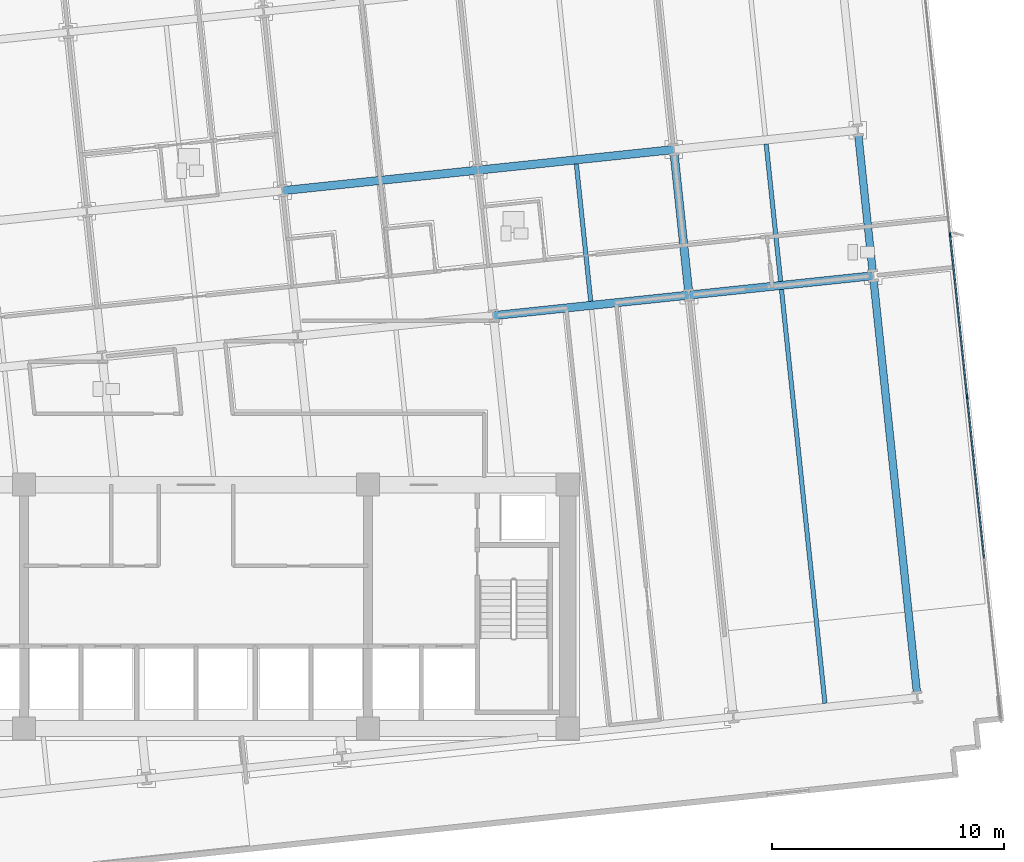
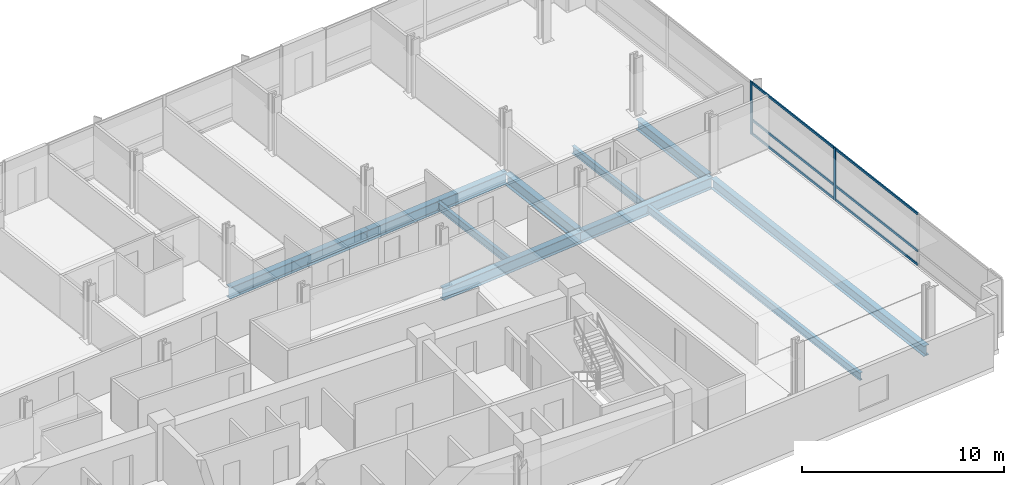
# One storey, part 5 of 17: 10 beams, 8 members, 1 element without a shape of its own.
"""IFC4 building model written with IfcOpenShell, lengths in metres."""

import ifcopenshell
import ifcopenshell.guid

model = None  # the IFC model being written
_history = None  # IfcOwnerHistory: only IFC2X3 demands one
_inside = {}  # id of a spatial element -> (the spatial element, [elements in it])
_under = {}  # id of a project, library or spatial element -> (it, [spatial elements below it])
_declared = {}  # id of a project -> (the project, [libraries it declares])
_typed = {}  # id of a type object -> (the type object, [elements of that type])
_made_of = {}  # id of a material, layer set ... -> (it, [elements and type objects made of it])


def new_model(schema):
    """Start an empty IFC model of exactly this schema.

    Asked for "IFC4X3", IfcOpenShell would pick the latest addendum, in which some entities
    have other attributes; the version numbers below select the first issue.
    IFC2X3 requires an IfcOwnerHistory on every rooted entity: one is made here for all.
    """
    global model, _history
    if schema == "IFC4X3":
        model = ifcopenshell.file(schema_version=(4, 3, 0, 0))
    else:
        model = ifcopenshell.file(schema=schema)
    _inside.clear()
    _under.clear()
    _declared.clear()
    _typed.clear()
    _made_of.clear()
    _history = None
    if model.schema == "IFC2X3":
        org = make("IfcOrganization", Name="unknown")
        user = make(
            "IfcPersonAndOrganization",
            ThePerson=make("IfcPerson", FamilyName="unknown"),
            TheOrganization=org,
        )
        app = make(
            "IfcApplication",
            ApplicationDeveloper=org,
            Version="unknown",
            ApplicationFullName="unknown",
            ApplicationIdentifier="unknown",
        )
        _history = make(
            "IfcOwnerHistory",
            OwningUser=user,
            OwningApplication=app,
            ChangeAction="ADDED",
            CreationDate=0,
        )
    return model


def make(cls, **values):
    """One entity of the class cls with the attributes given. An attribute that is None is left unset."""
    return model.create_entity(
        cls, **{name: value for name, value in values.items() if value is not None}
    )


def rooted(cls, **values):
    """An entity with a GlobalId (a new one), such as an element, a storey or a relation."""
    return make(cls, GlobalId=ifcopenshell.guid.new(), OwnerHistory=_history, **values)


def si_unit(unit_type, name, prefix=None):
    """IfcSIUnit, for example si_unit("LENGTHUNIT", "METRE", prefix="MILLI")."""
    return make("IfcSIUnit", UnitType=unit_type, Prefix=prefix, Name=name)


def assignment(units):
    """IfcUnitAssignment: the units of a project."""
    return None if units is None else make("IfcUnitAssignment", Units=units)


def point(xyz):
    """IfcCartesianPoint."""
    return None if xyz is None else make("IfcCartesianPoint", Coordinates=xyz)


def direction(xyz):
    """IfcDirection."""
    return None if xyz is None else make("IfcDirection", DirectionRatios=xyz)


def frame(location, z_axis=None, x_axis=None):
    """IfcAxis2Placement3D, a coordinate frame: its origin and axes. An axis left out is left unset."""
    return make(
        "IfcAxis2Placement3D",
        Location=point(location),
        Axis=direction(z_axis),
        RefDirection=direction(x_axis),
    )


def frame_2d(location, x_axis=None):
    """IfcAxis2Placement2D, a coordinate frame in the plane: its origin and x axis."""
    return make(
        "IfcAxis2Placement2D", Location=point(location), RefDirection=direction(x_axis)
    )


def origin():
    """The frame at (0, 0, 0) with its axes left unset."""
    return frame((0.0, 0.0, 0.0))


def origin_2d():
    """The frame at (0, 0) in the plane with its x axis left unset."""
    return frame_2d((0.0, 0.0))


def place(relative_to, where):
    """IfcLocalPlacement: puts the frame where relative to a parent placement (None: the world)."""
    return make(
        "IfcLocalPlacement", PlacementRelTo=relative_to, RelativePlacement=where
    )


def context(
    kind, dimensions, precision=None, world=None, true_north=None, identifier=None
):
    """IfcGeometricRepresentationContext, for example the 3D "Model" context."""
    return make(
        "IfcGeometricRepresentationContext",
        ContextIdentifier=identifier,
        ContextType=kind,
        CoordinateSpaceDimension=dimensions,
        Precision=precision,
        WorldCoordinateSystem=world,
        TrueNorth=true_north,
    )


def subcontext(parent, identifier, kind, view, scale=None):
    """IfcGeometricRepresentationSubContext, for example "Body" below "Model"."""
    return make(
        "IfcGeometricRepresentationSubContext",
        ContextIdentifier=identifier,
        ContextType=kind,
        ParentContext=parent,
        TargetScale=scale,
        TargetView=view,
    )


def project(units=None, contexts=None):
    """IfcProject with its units and contexts."""
    return rooted(
        "IfcProject",
        Name="project",
        RepresentationContexts=contexts,
        UnitsInContext=assignment(units),
    )


def spatial(cls, under=None, at=None, **own):
    """A site, building, storey or space (cls), placed at a placement, below another one or the project."""
    s = rooted(cls, ObjectPlacement=at, **own)
    if under is not None:
        _under.setdefault(under.id(), (under, []))[1].append(s)
    return s


def profile(cls, at=None, kind="AREA", **sizes):
    """A parametric profile (cls). Its sizes go by their IFC names, for example OverallWidth=200.0."""
    return make(cls, ProfileType=kind, Position=at, **sizes)


def rectangle(**sizes):
    """IfcRectangleProfileDef."""
    return profile("IfcRectangleProfileDef", **sizes)


def i_section(**sizes):
    """IfcIShapeProfileDef."""
    return profile("IfcIShapeProfileDef", **sizes)


def extrude(swept, where, along, depth):
    """IfcExtrudedAreaSolid: the profile swept, set in the frame where, extruded along a direction by depth."""
    return make(
        "IfcExtrudedAreaSolid",
        SweptArea=swept,
        Position=where,
        ExtrudedDirection=direction(along),
        Depth=depth,
    )


def shape(context_of_items, identifier, shape_type, items):
    """IfcShapeRepresentation: the items that make up one representation, for example the "Body"."""
    return make(
        "IfcShapeRepresentation",
        ContextOfItems=context_of_items,
        RepresentationIdentifier=identifier,
        RepresentationType=shape_type,
        Items=items,
    )


def material(Name=None, Category=None):
    """IfcMaterial."""
    return make("IfcMaterial", Name=Name, Category=Category)


def material_profile(
    of_material, cross_section, Name=None, Category=None, Priority=None
):
    """IfcMaterialProfile: a cross section and its material."""
    return make(
        "IfcMaterialProfile",
        Name=Name,
        Material=of_material,
        Profile=cross_section,
        Priority=Priority,
        Category=Category,
    )


def profile_set(profiles, Name=None, composite=None):
    """IfcMaterialProfileSet."""
    return make(
        "IfcMaterialProfileSet",
        Name=Name,
        MaterialProfiles=profiles,
        CompositeProfile=composite,
    )


def made_of(thing, what):
    """Note that an element or type object is made of a material, layer set ...; save() writes the relation."""
    if what is not None:
        _made_of.setdefault(what.id(), (what, []))[1].append(thing)
    return thing


def type_object(cls, material=None, **own):
    """A type object (cls), such as IfcWallType, which elements share."""
    return made_of(rooted(cls, **own), material)


def element(
    cls,
    number,
    at=None,
    inside=None,
    cuts=None,
    type_object=None,
    material=None,
    context=None,
    identifier="Body",
    shape_type=None,
    held_by="IfcProductDefinitionShape",
    body=None,
    shapes=None,
    **own,
):
    """One element of the class cls, such as IfcWall. Its Tag is "e" and its number.

    at: its placement. inside: the storey or other place that contains it. cuts: it is an
    opening in that element (IfcRelVoidsElement). A single representation is given by context,
    identifier, shape_type and body (its items); several are given by shapes. held_by: the class
    of the entity that holds the representations. save() writes the other relations.
    """
    e = rooted(cls, Tag="e%d" % number, ObjectPlacement=at, **own)
    if body is not None:
        shapes = [shape(context, identifier, shape_type, body)]
    if shapes is not None:
        e.Representation = make(held_by, Representations=shapes)
    if inside is not None:
        _inside.setdefault(inside.id(), (inside, []))[1].append(e)
    if cuts is not None:
        rooted(
            "IfcRelVoidsElement", RelatingBuildingElement=cuts, RelatedOpeningElement=e
        )
    if type_object is not None:
        _typed.setdefault(type_object.id(), (type_object, []))[1].append(e)
    return made_of(e, material)


def aggregate(whole, parts):
    """IfcRelAggregates: a whole, such as a stair, and the parts it consists of."""
    return rooted("IfcRelAggregates", RelatingObject=whole, RelatedObjects=parts)


def save(model, path):
    """Write the relations noted so far, then the file.

    IfcRelAggregates (storeys below a building ...), IfcRelContainedInSpatialStructure (elements
    in a storey), IfcRelDefinesByType, IfcRelAssociatesMaterial and IfcRelDeclares: one each for
    every whole, place, type object, material and project.
    """
    for whole, parts in _under.values():
        aggregate(whole, parts)
    for where, things in _inside.values():
        rooted(
            "IfcRelContainedInSpatialStructure",
            RelatedElements=things,
            RelatingStructure=where,
        )
    for kind, things in _typed.values():
        rooted("IfcRelDefinesByType", RelatedObjects=things, RelatingType=kind)
    for what, things in _made_of.values():
        rooted("IfcRelAssociatesMaterial", RelatedObjects=things, RelatingMaterial=what)
    for by, libraries in _declared.values():
        rooted("IfcRelDeclares", RelatingContext=by, RelatedDefinitions=libraries)
    model.write(path)


model = new_model("IFC4")

# Units and contexts
model_context = context("Model", 3, precision=1e-05, world=origin(), true_north=direction((0.0, 1.0)))
body_context = subcontext(model_context, "Body", "Model", "MODEL_VIEW")
ifc_project = project(units=[si_unit("LENGTHUNIT", "METRE"), si_unit("AREAUNIT", "SQUARE_METRE"), si_unit("VOLUMEUNIT", "CUBIC_METRE"), si_unit("PLANEANGLEUNIT", "RADIAN"), si_unit("MASSUNIT", "GRAM", prefix="KILO")], contexts=[model_context])

# Site, building, storey
site_placement = place(None, origin())
site = spatial("IfcSite", under=ifc_project, at=site_placement, CompositionType="ELEMENT")
building_placement = place(site_placement, origin())
building = spatial("IfcBuilding", under=site, at=building_placement, Name="Solmavex Isthmus Hotel", CompositionType="ELEMENT")
storey_placement = place(building_placement, frame((0.0, 0.0, 90.449951171875)))
storey = spatial("IfcBuildingStorey", under=building, at=storey_placement, Name="L24", CompositionType="ELEMENT", Elevation=90.449951171875)

# Beams
ifc_material_1 = material(Name="Steel ASTM A992 Grade 50", Category="steel")
ifc_material_profile_1 = material_profile(ifc_material_1, i_section(OverallWidth=0.354736328125, OverallDepth=0.695556640625, WebThickness=0.015380859375, FlangeThickness=0.02490234375, FilletRadius=0.017822265625, at=origin_2d()), Name="W27X146")
ifc_profile_set_1 = profile_set([ifc_material_profile_1], Name="Steel ASTM A992 Grade 50")
beam_type_1 = type_object("IfcBeamType", Name="BM-BG-W27X146", PredefinedType="BEAM", material=ifc_profile_set_1)
beam_1_placement = place(storey_placement, frame((12.800048828125, 4.7734375, -0.607666015625), z_axis=(0.994521085209, 0.104536171134, 0.0), x_axis=(-0.104536171134, 0.994521085209, 0.0)))
element("IfcBeam", 1, at=beam_1_placement, inside=storey, type_object=beam_type_1, Name="Floor Girder L24-UG11", PredefinedType="BEAM", context=body_context, shape_type="SweptSolid", body=[
    extrude(i_section(OverallWidth=0.354736328125, OverallDepth=0.695556640625, WebThickness=0.015380859375, FlangeThickness=0.02490234375, FilletRadius=0.017822265625, at=origin_2d()), origin(), (0.0, 0.0, 1.0), 8.466064453125),
])
beam_2_placement = place(storey_placement, frame((21.2197265625, 5.658447265625, -0.607666015625), z_axis=(0.994523402738, 0.104514120609, 0.0), x_axis=(-0.104514120609, 0.994523402738, 0.0)))
element("IfcBeam", 2, at=beam_2_placement, inside=storey, type_object=beam_type_1, Name="Floor Girder L24-UG12", PredefinedType="BEAM", context=body_context, shape_type="SweptSolid", body=[
    extrude(i_section(OverallWidth=0.354736328125, OverallDepth=0.695556640625, WebThickness=0.015380859375, FlangeThickness=0.02490234375, FilletRadius=0.017822265625, at=origin_2d()), origin(), (0.0, 0.0, 1.0), 7.968017578125),
])
for number, where, z_axis, x_axis, name in (
    (3, (3.72216796875, 10.152099609375, -0.607666015625), (0.994524082861, 0.104507648572, 0.0), (-0.104507648572, 0.994524082861, 0.0), "Floor Girder L24-UG16"),
    (4, (12.141845703125, 11.036865234375, -0.607666015625), (0.994521085209, 0.104536171134, 0.0), (-0.104536171134, 0.994521085209, 0.0), "Floor Girder L24-UG17"),
):
    element("IfcBeam", number, at=place(storey_placement, frame(where, z_axis=z_axis, x_axis=x_axis)), inside=storey, type_object=beam_type_1, Name=name, PredefinedType="BEAM", context=body_context, shape_type="SweptSolid", body=[
        extrude(i_section(OverallWidth=0.354736328125, OverallDepth=0.695556640625, WebThickness=0.015380859375, FlangeThickness=0.02490234375, FilletRadius=0.017822265625, at=origin_2d()), origin(), (0.0, 0.0, 1.0), 8.466064453125),
    ])
beam_3_placement = place(storey_placement, frame((21.201171875, 5.834716796875, -0.607666015625), z_axis=(-0.104505160346, 0.994524344328, 0.0), x_axis=(-0.994524344328, -0.104505160346, 0.0)))
element("IfcBeam", 5, at=beam_3_placement, inside=storey, type_object=beam_type_1, Name="Floor Beam L24-VG44", PredefinedType="BEAM", context=body_context, shape_type="SweptSolid", body=[
    extrude(i_section(OverallWidth=0.354736328125, OverallDepth=0.695556640625, WebThickness=0.015380859375, FlangeThickness=0.02490234375, FilletRadius=0.017822265625, at=origin_2d()), origin(), (0.0, 0.0, 1.0), 5.943115234375),
])
ifc_material_profile_2 = material_profile(ifc_material_1, i_section(OverallWidth=0.1904296875, OverallDepth=0.456787109375, WebThickness=0.009033203125, FlangeThickness=0.014404296875, FilletRadius=0.0126953125, at=origin_2d()), Name="W18X50")
ifc_profile_set_2 = profile_set([ifc_material_profile_2], Name="Steel ASTM A992 Grade 50")
beam_type_2 = type_object("IfcBeamType", Name="BM-BJ-W18X50", PredefinedType="JOIST", material=ifc_profile_set_2)
beam_4_placement = place(storey_placement, frame((16.991455078125, 5.392333984375, -0.48828125), z_axis=(-0.104545790518, 0.994520074048, 0.0), x_axis=(-0.994520074048, -0.104545790518, 0.0)))
element("IfcBeam", 6, at=beam_4_placement, inside=storey, type_object=beam_type_2, Name="Secondary Floor Joist L24-J17", PredefinedType="JOIST", context=body_context, shape_type="SweptSolid", body=[
    extrude(i_section(OverallWidth=0.1904296875, OverallDepth=0.456787109375, WebThickness=0.009033203125, FlangeThickness=0.014404296875, FilletRadius=0.0126953125, at=origin_2d()), origin(), (0.0, 0.0, 1.0), 5.943115234375),
])
beam_5_placement = place(storey_placement, frame((27.072509765625, -11.912841796875, -0.48828125), z_axis=(-0.104530088192, 0.99452172458, 0.0), x_axis=(-0.99452172458, -0.104530088192, 0.0)))
element("IfcBeam", 7, at=beam_5_placement, inside=storey, type_object=beam_type_2, Name="Secondary Floor Joist L24-J19", PredefinedType="JOIST", context=body_context, shape_type="SweptSolid", body=[
    extrude(i_section(OverallWidth=0.1904296875, OverallDepth=0.456787109375, WebThickness=0.009033203125, FlangeThickness=0.014404296875, FilletRadius=0.0126953125, at=origin_2d()), origin(), (0.0, 0.0, 1.0), 17.909423828125),
])
beam_6_placement = place(storey_placement, frame((25.163330078125, 6.251220703125, -0.48828125), z_axis=(-0.104505160346, 0.994524344328, 0.0), x_axis=(-0.994524344328, -0.104505160346, 0.0)))
element("IfcBeam", 8, at=beam_6_placement, inside=storey, type_object=beam_type_2, Name="Secondary Floor Joist L24-J20", PredefinedType="JOIST", context=body_context, shape_type="SweptSolid", body=[
    extrude(i_section(OverallWidth=0.1904296875, OverallDepth=0.456787109375, WebThickness=0.009033203125, FlangeThickness=0.014404296875, FilletRadius=0.0126953125, at=origin_2d()), origin(), (0.0, 0.0, 1.0), 5.943115234375),
])
ifc_material_profile_3 = material_profile(ifc_material_1, i_section(OverallWidth=0.326416015625, OverallDepth=0.621826171875, WebThickness=0.015380859375, FlangeThickness=0.0244140625, FilletRadius=0.01513671875, at=origin_2d()), Name="W24X131")
ifc_profile_set_3 = profile_set([ifc_material_profile_3], Name="Steel ASTM A992 Grade 50")
beam_type_3 = type_object("IfcBeamType", Name="BM-SP-W24X131", PredefinedType="SPANDREL", material=ifc_profile_set_3)
beam_7_placement = place(storey_placement, frame((31.03466796875, -11.496337890625, -0.57080078125), z_axis=(-0.104530088192, 0.99452172458, 0.0), x_axis=(-0.99452172458, -0.104530088192, 0.0)))
element("IfcBeam", 9, at=beam_7_placement, inside=storey, type_object=beam_type_3, Name="Floor Beam L24-VG46", PredefinedType="SPANDREL", context=body_context, shape_type="SweptSolid", body=[
    extrude(i_section(OverallWidth=0.326416015625, OverallDepth=0.621826171875, WebThickness=0.015380859375, FlangeThickness=0.0244140625, FilletRadius=0.01513671875, at=origin_2d()), origin(), (0.0, 0.0, 1.0), 17.909423828125),
])
beam_8_placement = place(storey_placement, frame((29.12548828125, 6.667724609375, -0.57080078125), z_axis=(-0.104505160346, 0.994524344328, 0.0), x_axis=(-0.994524344328, -0.104505160346, 0.0)))
element("IfcBeam", 10, at=beam_8_placement, inside=storey, type_object=beam_type_3, Name="Floor Beam L24-VG47", PredefinedType="SPANDREL", context=body_context, shape_type="SweptSolid", body=[
    extrude(i_section(OverallWidth=0.326416015625, OverallDepth=0.621826171875, WebThickness=0.015380859375, FlangeThickness=0.0244140625, FilletRadius=0.01513671875, at=origin_2d()), origin(), (0.0, 0.0, 1.0), 5.943115234375),
])

# Curtain wall, members
ifc_material_2 = material(Name="Aluminium alloy 6063-T6", Category="aluminium")
curtain_wall_type = type_object("IfcCurtainWallType", Name="CW-SYS-03", PredefinedType="NOTDEFINED", material=ifc_material_2)
curtain_wall_placement = place(storey_placement, origin())
curtain_wall = element("IfcCurtainWall", 11, at=curtain_wall_placement, inside=storey, type_object=curtain_wall_type, Name="Stick Curtain Wall CWL-L24-E1", PredefinedType="NOTDEFINED")
ifc_material_profile_4 = material_profile(ifc_material_2, rectangle(XDim=0.070068359375, YDim=0.179931640625, at=origin_2d()), Name="CWM-70X180")
ifc_profile_set_4 = profile_set([ifc_material_profile_4], Name="Aluminium alloy 6063-T6")
member_type_1 = type_object("IfcMemberType", Name="CW-SYS-03-MUL", PredefinedType="MULLION", material=ifc_profile_set_4)
member_1_placement = place(storey_placement, frame((33.19140625, 1.275634765625, 0.0), z_axis=(0.0, 0.0, 1.0), x_axis=(-0.994521893044, -0.104528485381, 0.0)))
member_1 = element("IfcMember", 12, at=member_1_placement, type_object=member_type_1, Name="CW-03 mullion 3", PredefinedType="MULLION", context=body_context, shape_type="SweptSolid", body=[
    extrude(rectangle(XDim=0.070068359375, YDim=0.179931640625, at=origin_2d()), origin(), (0.0, 0.0, 1.0), 3.18994140625),
])
member_2_placement = place(storey_placement, frame((32.45751953125, 8.25732421875, 0.0), z_axis=(0.0, 0.0, 1.0), x_axis=(-0.994521893044, -0.104528485381, 0.0)))
member_2 = element("IfcMember", 13, at=member_2_placement, type_object=member_type_1, Name="CW-03 mullion 4", PredefinedType="MULLION", context=body_context, shape_type="SweptSolid", body=[
    extrude(rectangle(XDim=0.070068359375, YDim=0.179931640625, at=origin_2d()), origin(), (0.0, 0.0, 1.0), 3.18994140625),
])
ifc_material_profile_5 = material_profile(ifc_material_2, rectangle(XDim=0.070068359375, YDim=0.139892578125, at=origin_2d()), Name="CWT-70X140")
ifc_profile_set_5 = profile_set([ifc_material_profile_5], Name="Aluminium alloy 6063-T6")
member_type_2 = type_object("IfcMemberType", Name="CW-SYS-03-TRN", PredefinedType="USERDEFINED", material=ifc_profile_set_5)
member_3_placement = place(storey_placement, frame((33.921630859375, -5.6708984375, 0.070068359375), z_axis=(-0.104542152467, 0.99452045648, 0.0), x_axis=(-0.99452045648, -0.104542152467, 0.0)))
member_3 = element("IfcMember", 14, at=member_3_placement, type_object=member_type_2, Name="CW-03 transom 2.1", ObjectType="TRANSOM", PredefinedType="USERDEFINED", context=body_context, shape_type="SweptSolid", body=[
    extrude(rectangle(XDim=0.070068359375, YDim=0.139892578125, at=origin_2d()), origin(), (0.0, 0.0, 1.0), 6.949951171875),
])
member_4_placement = place(storey_placement, frame((33.921630859375, -5.6708984375, 0.900146484375), z_axis=(-0.104542152467, 0.99452045648, 0.0), x_axis=(-0.99452045648, -0.104542152467, 0.0)))
member_4 = element("IfcMember", 15, at=member_4_placement, type_object=member_type_2, Name="CW-03 transom 2.2", ObjectType="TRANSOM", PredefinedType="USERDEFINED", context=body_context, shape_type="SweptSolid", body=[
    extrude(rectangle(XDim=0.070068359375, YDim=0.139892578125, at=origin_2d()), origin(), (0.0, 0.0, 1.0), 6.949951171875),
])
member_5_placement = place(storey_placement, frame((33.921630859375, -5.6708984375, 3.1201171875), z_axis=(-0.104542152467, 0.99452045648, 0.0), x_axis=(-0.99452045648, -0.104542152467, 0.0)))
member_5 = element("IfcMember", 16, at=member_5_placement, type_object=member_type_2, Name="CW-03 transom 2.3", ObjectType="TRANSOM", PredefinedType="USERDEFINED", context=body_context, shape_type="SweptSolid", body=[
    extrude(rectangle(XDim=0.070068359375, YDim=0.139892578125, at=origin_2d()), origin(), (0.0, 0.0, 1.0), 6.949951171875),
])
member_6_placement = place(storey_placement, frame((33.187744140625, 1.310546875, 0.070068359375), z_axis=(-0.104542152467, 0.99452045648, 0.0), x_axis=(-0.99452045648, -0.104542152467, 0.0)))
member_6 = element("IfcMember", 17, at=member_6_placement, type_object=member_type_2, Name="CW-03 transom 3.1", ObjectType="TRANSOM", PredefinedType="USERDEFINED", context=body_context, shape_type="SweptSolid", body=[
    extrude(rectangle(XDim=0.070068359375, YDim=0.139892578125, at=origin_2d()), origin(), (0.0, 0.0, 1.0), 6.949951171875),
])
member_7_placement = place(storey_placement, frame((33.187744140625, 1.310546875, 0.900146484375), z_axis=(-0.104542152467, 0.99452045648, 0.0), x_axis=(-0.99452045648, -0.104542152467, 0.0)))
member_7 = element("IfcMember", 18, at=member_7_placement, type_object=member_type_2, Name="CW-03 transom 3.2", ObjectType="TRANSOM", PredefinedType="USERDEFINED", context=body_context, shape_type="SweptSolid", body=[
    extrude(rectangle(XDim=0.070068359375, YDim=0.139892578125, at=origin_2d()), origin(), (0.0, 0.0, 1.0), 6.949951171875),
])
member_8_placement = place(storey_placement, frame((33.187744140625, 1.310546875, 3.1201171875), z_axis=(-0.104542152467, 0.99452045648, 0.0), x_axis=(-0.99452045648, -0.104542152467, 0.0)))
member_8 = element("IfcMember", 19, at=member_8_placement, type_object=member_type_2, Name="CW-03 transom 3.3", ObjectType="TRANSOM", PredefinedType="USERDEFINED", context=body_context, shape_type="SweptSolid", body=[
    extrude(rectangle(XDim=0.070068359375, YDim=0.139892578125, at=origin_2d()), origin(), (0.0, 0.0, 1.0), 6.949951171875),
])
aggregate(curtain_wall, [member_1, member_2, member_3, member_4, member_5, member_6, member_7, member_8])

save(model, "model.ifc")
